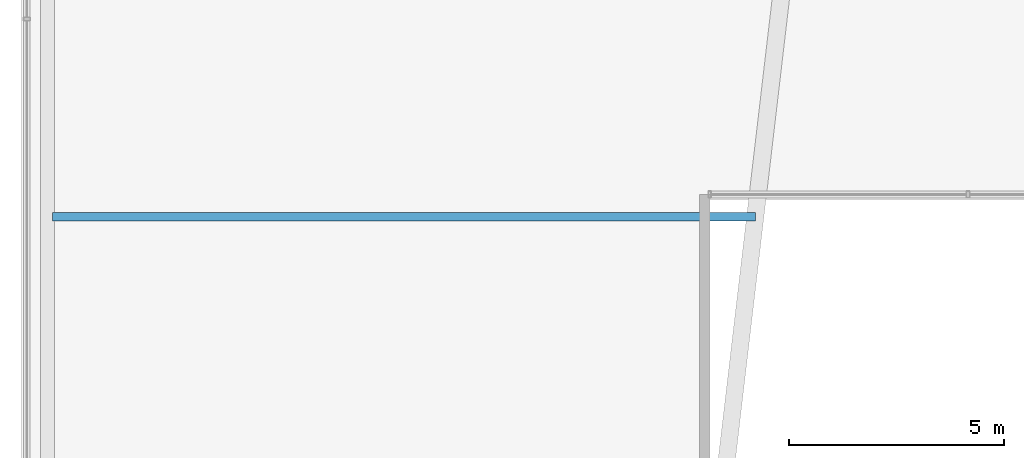
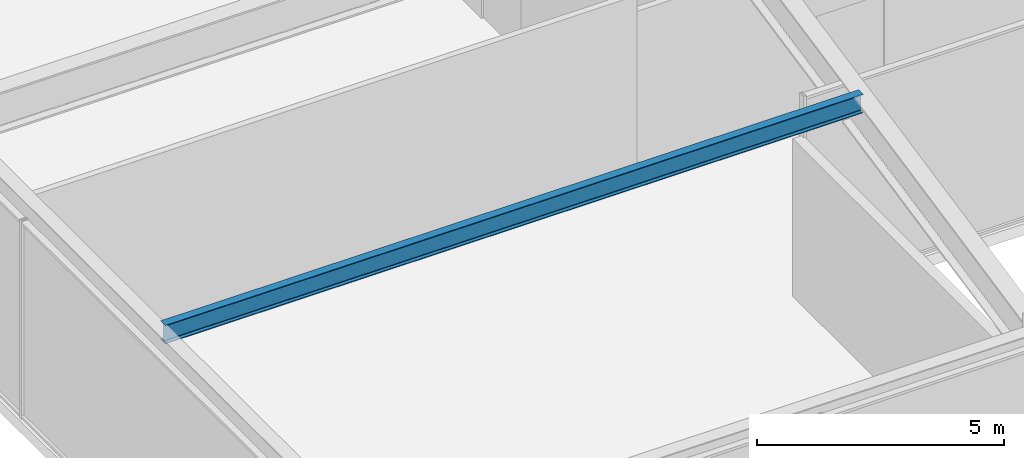
# One storey, part 7 of 49: 1 beam.
"""IFC4 building model written with IfcOpenShell, lengths in metres."""

from ifc_helpers import new_model, si_unit, direction, frame, origin, origin_2d, place, context, subcontext, project, spatial, i_section, extrude, material, material_profile, profile_set, type_object, element, save


model = new_model("IFC4")

# Units and contexts
model_context = context("Model", 3, precision=1e-05, world=origin(), true_north=direction((0.0, 1.0)))
body_context = subcontext(model_context, "Body", "Model", "MODEL_VIEW")
ifc_project = project(units=[si_unit("LENGTHUNIT", "METRE"), si_unit("AREAUNIT", "SQUARE_METRE"), si_unit("VOLUMEUNIT", "CUBIC_METRE"), si_unit("PLANEANGLEUNIT", "RADIAN"), si_unit("MASSUNIT", "GRAM", prefix="KILO")], contexts=[model_context])

# Site, building, storey
site_placement = place(None, origin())
site = spatial("IfcSite", under=ifc_project, at=site_placement, CompositionType="ELEMENT")
building_placement = place(site_placement, origin())
building = spatial("IfcBuilding", under=site, at=building_placement, Name="Kolvaren Belvedere", CompositionType="ELEMENT")
storey_placement = place(building_placement, frame((0.0, 0.0, 10.0)))
storey = spatial("IfcBuildingStorey", under=building, at=storey_placement, Name="L03", CompositionType="ELEMENT", Elevation=10.0)

# Beam
ifc_material = material(Name="Structural steel ASTM A992 Grade 50", Category="steel")
ifc_material_profile = material_profile(ifc_material, i_section(OverallWidth=0.19091796875, OverallDepth=0.4599609375, WebThickness=0.010009765625, FlangeThickness=0.01611328125, FilletRadius=0.014892578125, at=origin_2d()), Name="W18X55")
ifc_profile_set = profile_set([ifc_material_profile], Name="Structural steel ASTM A992 Grade 50")
beam_type = type_object("IfcBeamType", Name="BM-JOIST-W18X55", PredefinedType="BEAM", material=ifc_profile_set)
beam_placement = place(storey_placement, frame((-27.280029296875, -18.800048828125, 4.68994140625), z_axis=(1.0, 0.0, 0.0), x_axis=(0.0, 1.0, 0.0)))
element("IfcBeam", 1, at=beam_placement, inside=storey, type_object=beam_type, Name="L03 West Bay Floor Beam", PredefinedType="BEAM", context=body_context, shape_type="SweptSolid", body=[
    extrude(i_section(OverallWidth=0.19091796875, OverallDepth=0.4599609375, WebThickness=0.010009765625, FlangeThickness=0.01611328125, FilletRadius=0.014892578125, at=origin_2d()), origin(), (0.0, 0.0, 1.0), 16.340087890625),
])

save(model, "model.ifc")
